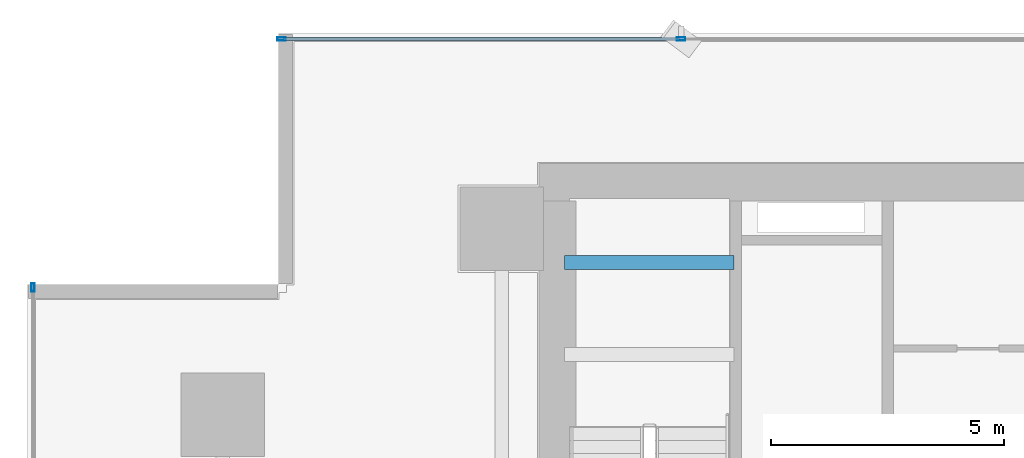
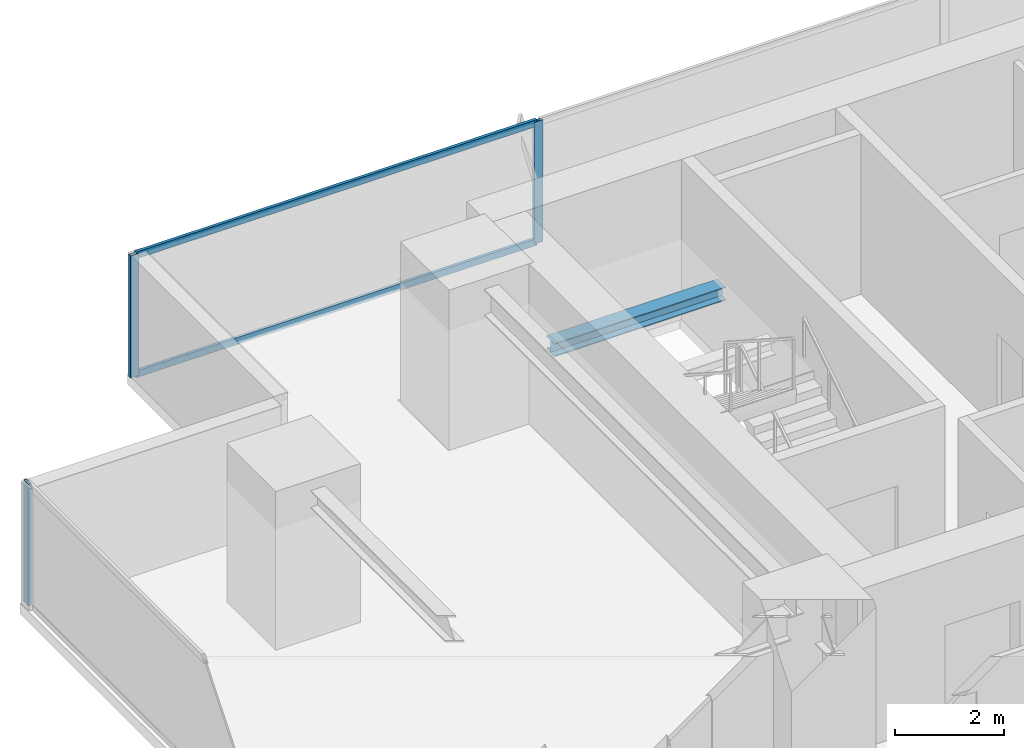
# One storey, part 18 of 33: 5 members, 1 beam, 2 elements without a shape of their own.
"""IFC4 building model written with IfcOpenShell, lengths in metres."""

from ifc_helpers import new_model, si_unit, direction, frame, origin, origin_2d, place, context, subcontext, project, spatial, hollow_rectangle, i_section, extrude, source, transform, mapped, material, layer, layer_set, material_profile, profile_set, type_object, element, aggregate, save


model = new_model("IFC4")

# Units and contexts
model_context = context("Model", 3, precision=1e-05, world=origin(), true_north=direction((0.0, 1.0)))
body_context = subcontext(model_context, "Body", "Model", "MODEL_VIEW")
ifc_project = project(units=[si_unit("LENGTHUNIT", "METRE"), si_unit("AREAUNIT", "SQUARE_METRE"), si_unit("VOLUMEUNIT", "CUBIC_METRE"), si_unit("PLANEANGLEUNIT", "RADIAN"), si_unit("MASSUNIT", "GRAM", prefix="KILO")], contexts=[model_context])

# Site, building, storey
site_placement = place(None, origin())
site = spatial("IfcSite", under=ifc_project, at=site_placement, CompositionType="ELEMENT")
building_placement = place(site_placement, origin())
building = spatial("IfcBuilding", under=site, at=building_placement, Name="Sumidabori Civic Tower", CompositionType="ELEMENT")
storey_placement = place(building_placement, frame((0.0, 0.0, 27.199951171875)))
storey = spatial("IfcBuildingStorey", under=building, at=storey_placement, Name="L06", CompositionType="ELEMENT", Elevation=27.199951171875)

# Beam
ifc_material_1 = material(Name="Steel SN490", Category="steel")
ifc_material_profile_1 = material_profile(ifc_material_1, i_section(OverallWidth=0.300048828125, OverallDepth=0.300048828125, WebThickness=0.010986328125, FlangeThickness=0.01904296875, at=origin_2d()), Name="HE 300 B")
ifc_profile_set_1 = profile_set([ifc_material_profile_1], Name="Steel SN490")
beam_type = type_object("IfcBeamType", Name="BM-LDG-300", PredefinedType="BEAM", material=ifc_profile_set_1)
shared_shape_1 = source(origin(), body_context, "Body", "SweptSolid", [
    extrude(i_section(OverallWidth=0.300048828125, OverallDepth=0.300048828125, WebThickness=0.010986328125, FlangeThickness=0.01904296875, at=origin_2d()), origin(), (0.0, 0.0, 1.0), 3.64990234375),
])
beam_placement = place(storey_placement, frame((-15.449951171875, 22.069580078125, 1.449951171875), z_axis=(1.0, 0.0, 0.0), x_axis=(0.0, 1.0, 0.0)))
element("IfcBeam", 1, at=beam_placement, inside=storey, type_object=beam_type, Name="Stair ST-1 Landing Trimmer Beam L06-1B", PredefinedType="BEAM", context=body_context, shape_type="MappedRepresentation", body=[
    mapped(shared_shape_1, transform((0.0, 0.0, 0.0), x_axis=(1.0, 0.0, 0.0), y_axis=(0.0, 1.0, 0.0), z_axis=(0.0, 0.0, 1.0), scale=1.0)),
])

# Curtain wall, members
ifc_material_2 = material(Name="Anodised Bronze Aluminium AW-6063-T6", Category="aluminium")
ifc_layer = layer(ifc_material_2, 0.179931640625, Name="Anodised Bronze Aluminium AW-6063-T6")
ifc_layer_set = layer_set([ifc_layer], Name="Anodised Bronze Aluminium AW-6063-T6")
curtain_wall_type = type_object("IfcCurtainWallType", Name="CW-SYS-2", PredefinedType="NOTDEFINED", material=ifc_layer_set)
curtain_wall_1_placement = place(storey_placement, origin())
curtain_wall_1 = element("IfcCurtainWall", 2, at=curtain_wall_1_placement, inside=storey, type_object=curtain_wall_type, Name="Curtain Wall CW:L06:R07", PredefinedType="NOTDEFINED")
ifc_material_profile_2 = material_profile(ifc_material_2, hollow_rectangle(XDim=0.070068359375, YDim=0.179931640625, WallThickness=0.006103515625, at=origin_2d()), Name="ALU MULLION 180x70")
ifc_profile_set_2 = profile_set([ifc_material_profile_2], Name="Anodised Bronze Aluminium AW-6063-T6")
member_type_1 = type_object("IfcMemberType", Name="CW-MUL-180", PredefinedType="MULLION", material=ifc_profile_set_2)
shared_shape_2 = source(origin(), body_context, "Body", "SweptSolid", [
    extrude(hollow_rectangle(XDim=0.070068359375, YDim=0.179931640625, WallThickness=0.006103515625, at=origin_2d()), origin(), (0.0, 0.0, 1.0), 2.739990234375),
])
member_1_placement = place(storey_placement, frame((-12.94189453125, 26.8798828125, 0.0), z_axis=(0.0, 0.0, 1.0), x_axis=(0.0, -1.0, 0.0)))
member_1 = element("IfcMember", 3, at=member_1_placement, type_object=member_type_1, Name="CW-2 mullion 5", PredefinedType="MULLION", context=body_context, shape_type="MappedRepresentation", body=[
    mapped(shared_shape_2, transform((0.0, 0.0, 0.0), x_axis=(1.0, 0.0, 0.0), y_axis=(0.0, 1.0, 0.0), z_axis=(0.0, 0.0, 1.0), scale=1.0)),
])
member_2_placement = place(storey_placement, frame((-21.534912109375, 26.8798828125, 0.0), z_axis=(0.0, 0.0, 1.0), x_axis=(0.0, -1.0, 0.0)))
member_2 = element("IfcMember", 4, at=member_2_placement, type_object=member_type_1, Name="CW-2 mullion 6", PredefinedType="MULLION", context=body_context, shape_type="MappedRepresentation", body=[
    mapped(shared_shape_2, transform((0.0, 0.0, 0.0), x_axis=(1.0, 0.0, 0.0), y_axis=(0.0, 1.0, 0.0), z_axis=(0.0, 0.0, 1.0), scale=1.0)),
])

# Curtain wall, member
curtain_wall_2_placement = place(storey_placement, origin())
curtain_wall_2 = element("IfcCurtainWall", 5, at=curtain_wall_2_placement, inside=storey, type_object=curtain_wall_type, Name="Curtain Wall CW:L06:R10", PredefinedType="NOTDEFINED")
member_3_placement = place(storey_placement, frame((-26.8798828125, 21.534912109375, 0.0), z_axis=(0.0, 0.0, 1.0), x_axis=(1.0, 0.0, 0.0)))
member_3 = element("IfcMember", 6, at=member_3_placement, type_object=member_type_1, Name="CW-2 mullion 1", PredefinedType="MULLION", context=body_context, shape_type="MappedRepresentation", body=[
    mapped(shared_shape_2, transform((0.0, 0.0, 0.0), x_axis=(1.0, 0.0, 0.0), y_axis=(0.0, 1.0, 0.0), z_axis=(0.0, 0.0, 1.0), scale=1.0)),
])
aggregate(curtain_wall_2, [member_3])

# Member
ifc_material_profile_3 = material_profile(ifc_material_2, hollow_rectangle(XDim=0.06494140625, YDim=0.14990234375, WallThickness=0.0048828125, at=origin_2d()), Name="ALU TRANSOM 150x65")
ifc_profile_set_3 = profile_set([ifc_material_profile_3], Name="Anodised Bronze Aluminium AW-6063-T6")
member_type_2 = type_object("IfcMemberType", Name="CW-TRN-150", PredefinedType="USERDEFINED", material=ifc_profile_set_3)
shared_shape_3 = source(origin(), body_context, "Body", "SweptSolid", [
    extrude(hollow_rectangle(XDim=0.06494140625, YDim=0.14990234375, WallThickness=0.0048828125, at=origin_2d()), origin(), (0.0, 0.0, 1.0), 8.52294921875),
])
member_4_placement = place(storey_placement, frame((-12.97705078125, 26.8798828125, 0.032470703125), z_axis=(-1.0, 0.0, 0.0), x_axis=(0.0, -1.0, 0.0)))
member_4 = element("IfcMember", 7, at=member_4_placement, type_object=member_type_2, Name="CW-2 transom 5.1", ObjectType="TRANSOM", PredefinedType="USERDEFINED", context=body_context, shape_type="MappedRepresentation", body=[
    mapped(shared_shape_3, transform((0.0, 0.0, 0.0), x_axis=(1.0, 0.0, 0.0), y_axis=(0.0, 1.0, 0.0), z_axis=(0.0, 0.0, 1.0), scale=1.0)),
])

member_5_placement = place(storey_placement, frame((-12.97705078125, 26.8798828125, 2.70751953125), z_axis=(-1.0, 0.0, 0.0), x_axis=(0.0, -1.0, 0.0)))
member_5 = element("IfcMember", 8, at=member_5_placement, type_object=member_type_2, Name="CW-2 transom 5.2", ObjectType="TRANSOM", PredefinedType="USERDEFINED", context=body_context, shape_type="MappedRepresentation", body=[
    mapped(shared_shape_3, transform((0.0, 0.0, 0.0), x_axis=(1.0, 0.0, 0.0), y_axis=(0.0, 1.0, 0.0), z_axis=(0.0, 0.0, 1.0), scale=1.0)),
])

aggregate(curtain_wall_1, [member_1, member_2, member_4, member_5])

save(model, "model.ifc")
